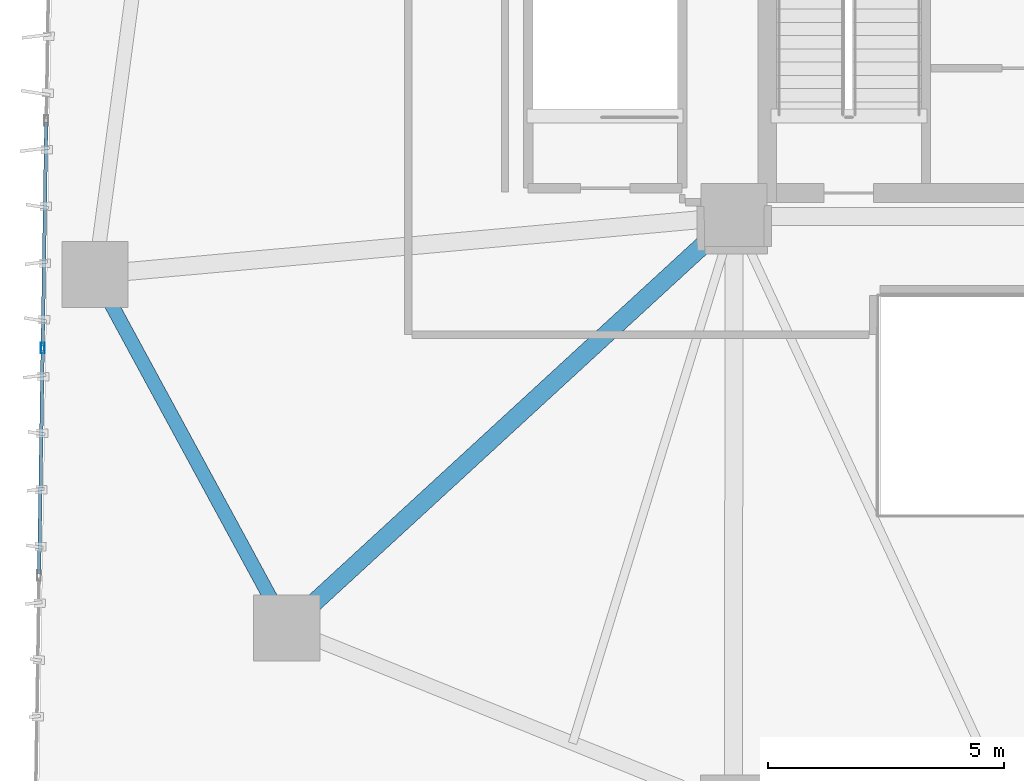
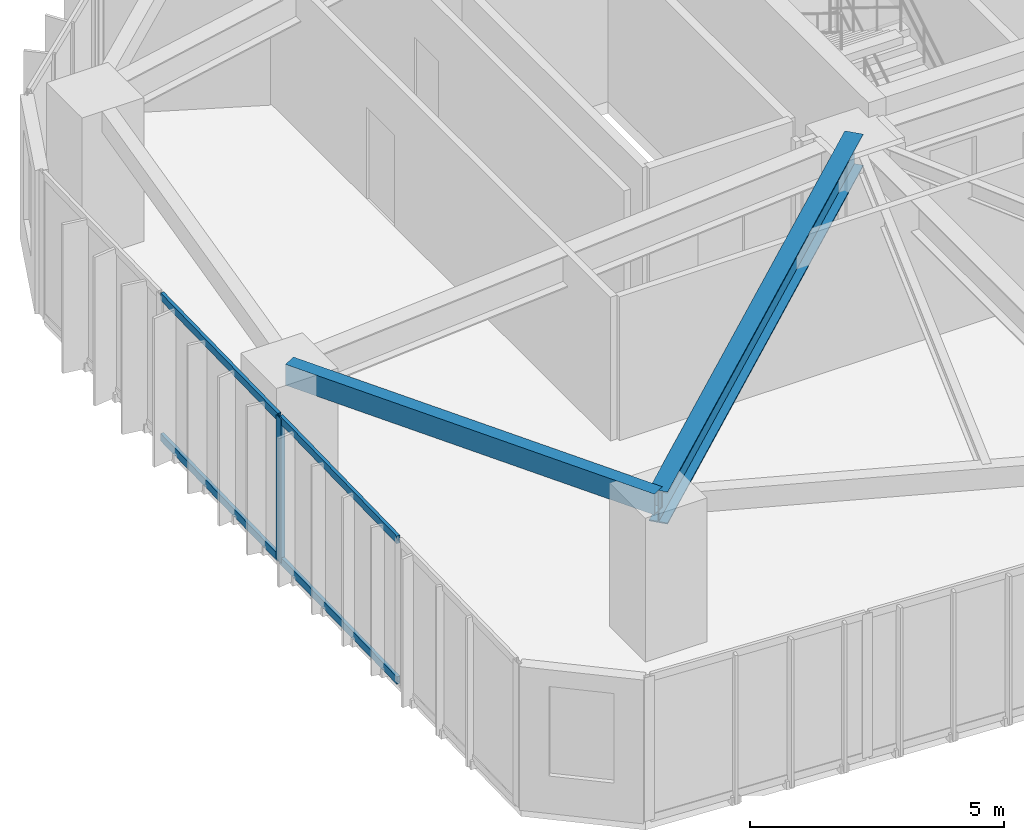
# One storey, part 3 of 24: 5 members, 2 beams, 1 element without a shape of its own.
"""IFC4 building model written with IfcOpenShell, lengths in metres."""

from ifc_helpers import new_model, si_unit, direction, frame, origin, origin_2d, place, context, subcontext, project, spatial, hollow_rectangle, i_section, extrude, source, transform, mapped, material, layer, layer_set, material_profile, profile_set, type_object, type_shapes, element, aggregate, save


model = new_model("IFC4")

# Units and contexts
model_context = context("Model", 3, precision=1e-05, world=origin(), true_north=direction((0.0, 1.0)))
body_context = subcontext(model_context, "Body", "Model", "MODEL_VIEW")
ifc_project = project(units=[si_unit("LENGTHUNIT", "METRE"), si_unit("AREAUNIT", "SQUARE_METRE"), si_unit("VOLUMEUNIT", "CUBIC_METRE"), si_unit("PLANEANGLEUNIT", "RADIAN"), si_unit("MASSUNIT", "GRAM", prefix="KILO")], contexts=[model_context])

# Site, building, storey
site_placement = place(None, origin())
site = spatial("IfcSite", under=ifc_project, at=site_placement, CompositionType="ELEMENT")
building_placement = place(site_placement, origin())
building = spatial("IfcBuilding", under=site, at=building_placement, Name="Talar Marvaseh", CompositionType="ELEMENT")
storey_placement = place(building_placement, frame((0.0, 0.0, 81.0)))
storey = spatial("IfcBuildingStorey", under=building, at=storey_placement, Name="L20", CompositionType="ELEMENT", Elevation=81.0)

# Beams
ifc_material_1 = material(Name="Steel S355", Category="steel")
ifc_material_profile_1 = material_profile(ifc_material_1, hollow_rectangle(XDim=0.300048828125, YDim=0.5, WallThickness=0.02001953125, at=origin_2d()), Name="RHS500x300x20")
ifc_profile_set_1 = profile_set([ifc_material_profile_1], Name="Steel S355")
beam_type_1 = type_object("IfcBeamType", Name="Zone 1 Perimeter Spandrel Beam RHS500x300x20", PredefinedType="SPANDREL", material=ifc_profile_set_1)
beam_1_placement = place(storey_placement, frame((9.23193359375, 16.7958984375, 3.199951171875), z_axis=(-0.476758155578, 0.879034505062, 0.0), x_axis=(-0.879034505062, -0.476758155578, 0.0)))
element("IfcBeam", 1, at=beam_1_placement, inside=storey, type_object=beam_type_1, Name="L20 Zone 1 Perimeter Spandrel Beam RHS500x300x20", PredefinedType="SPANDREL", context=body_context, shape_type="SweptSolid", body=[
    extrude(hollow_rectangle(XDim=0.300048828125, YDim=0.5, WallThickness=0.02001953125, at=origin_2d()), origin(), (0.0, 0.0, 1.0), 8.50927734375),
])
ifc_material_profile_2 = material_profile(ifc_material_1, i_section(OverallWidth=0.381103515625, OverallDepth=0.77294921875, WebThickness=0.0166015625, FlangeThickness=0.027099609375, at=origin_2d()), Name="W760x257")
ifc_profile_set_2 = profile_set([ifc_material_profile_2], Name="Steel S355")
beam_type_2 = type_object("IfcBeamType", Name="Zone 1 Radial Floor Girder W760x257", PredefinedType="BEAM", material=ifc_profile_set_2)
beam_2_placement = place(storey_placement, frame((9.23193359375, 16.7958984375, 3.0634765625), z_axis=(0.736181804049, 0.676783829142, 0.0), x_axis=(-0.676783829142, 0.736181804049, 0.0)))
element("IfcBeam", 2, at=beam_2_placement, inside=storey, type_object=beam_type_2, Name="L20 Zone 1 Radial Floor Girder W760x257", PredefinedType="BEAM", context=body_context, shape_type="SweptSolid", body=[
    extrude(i_section(OverallWidth=0.381103515625, OverallDepth=0.77294921875, WebThickness=0.0166015625, FlangeThickness=0.027099609375, at=origin_2d()), origin(), (0.0, 0.0, 1.0), 12.861083984375),
])

# Curtain wall, members
ifc_material_2 = material(Name="Architectural Aluminium", Category="aluminium")
ifc_layer = layer(ifc_material_2, 0.219970703125)
ifc_layer_set = layer_set([ifc_layer], Name="Architectural Aluminium")
curtain_wall_type = type_object("IfcCurtainWallType", Name="Unitised Low-E Museum Curtain Wall Z1", PredefinedType="NOTDEFINED", material=ifc_layer_set)
curtain_wall_placement = place(storey_placement, origin())
curtain_wall = element("IfcCurtainWall", 3, at=curtain_wall_placement, inside=storey, type_object=curtain_wall_type, Name="L20 Unitised Low-E Museum Curtain Wall Z1", PredefinedType="NOTDEFINED")
ifc_material_profile_3 = material_profile(ifc_material_2, hollow_rectangle(XDim=0.074951171875, YDim=0.179931640625, WallThickness=0.0048828125, at=origin_2d()), Name="RHS180x75x5")
ifc_profile_set_3 = profile_set([ifc_material_profile_3], Name="Architectural Aluminium")
member_type_1 = type_object("IfcMemberType", Name="Unitised Curtain Wall Transom RHS180x75x5", PredefinedType="USERDEFINED", material=ifc_profile_set_3)
shared_shape_1 = source(origin(), body_context, "Body", "SweptSolid", [
    extrude(hollow_rectangle(XDim=0.074951171875, YDim=0.179931640625, WallThickness=0.0048828125, at=origin_2d()), origin(), (0.0, 0.0, 1.0), 4.736572265625),
])
type_shapes(member_type_1, [shared_shape_1])
member_1_placement = place(storey_placement, frame((3.991943359375, 17.940185546875, 0.03759765625), z_axis=(0.015772046896, 0.999875613532, 0.0), x_axis=(-0.999875613532, 0.015772046896, 0.0)))
member_1 = element("IfcMember", 4, at=member_1_placement, type_object=member_type_1, Name="CW-Z1 transom 2.1", ObjectType="TRANSOM", PredefinedType="USERDEFINED", context=body_context, shape_type="MappedRepresentation", body=[
    mapped(shared_shape_1, transform((0.0, 0.0, 0.0), x_axis=(1.0, 0.0, 0.0), y_axis=(0.0, 1.0, 0.0), z_axis=(0.0, 0.0, 1.0), scale=1.0)),
])
member_2_placement = place(storey_placement, frame((3.991943359375, 17.940185546875, 3.41259765625), z_axis=(0.015772046896, 0.999875613532, 0.0), x_axis=(-0.999875613532, 0.015772046896, 0.0)))
member_2 = element("IfcMember", 5, at=member_2_placement, type_object=member_type_1, Name="CW-Z1 transom 2.2", ObjectType="TRANSOM", PredefinedType="USERDEFINED", context=body_context, shape_type="MappedRepresentation", body=[
    mapped(shared_shape_1, transform((0.0, 0.0, 0.0), x_axis=(1.0, 0.0, 0.0), y_axis=(0.0, 1.0, 0.0), z_axis=(0.0, 0.0, 1.0), scale=1.0)),
])
member_3_placement = place(storey_placement, frame((4.06787109375, 22.756103515625, 0.03759765625), z_axis=(0.015772046896, 0.999875613532, 0.0), x_axis=(-0.999875613532, 0.015772046896, 0.0)))
member_3 = element("IfcMember", 6, at=member_3_placement, type_object=member_type_1, Name="CW-Z1 transom 3.1", ObjectType="TRANSOM", PredefinedType="USERDEFINED", context=body_context, shape_type="MappedRepresentation", body=[
    mapped(shared_shape_1, transform((0.0, 0.0, 0.0), x_axis=(1.0, 0.0, 0.0), y_axis=(0.0, 1.0, 0.0), z_axis=(0.0, 0.0, 1.0), scale=1.0)),
])
member_4_placement = place(storey_placement, frame((4.06787109375, 22.756103515625, 3.41259765625), z_axis=(0.015772046896, 0.999875613532, 0.0), x_axis=(-0.999875613532, 0.015772046896, 0.0)))
member_4 = element("IfcMember", 7, at=member_4_placement, type_object=member_type_1, Name="CW-Z1 transom 3.2", ObjectType="TRANSOM", PredefinedType="USERDEFINED", context=body_context, shape_type="MappedRepresentation", body=[
    mapped(shared_shape_1, transform((0.0, 0.0, 0.0), x_axis=(1.0, 0.0, 0.0), y_axis=(0.0, 1.0, 0.0), z_axis=(0.0, 0.0, 1.0), scale=1.0)),
])
ifc_material_profile_4 = material_profile(ifc_material_2, hollow_rectangle(XDim=0.080078125, YDim=0.219970703125, WallThickness=0.0048828125, at=origin_2d()), Name="RHS220x80x5")
ifc_profile_set_4 = profile_set([ifc_material_profile_4], Name="Architectural Aluminium")
member_type_2 = type_object("IfcMemberType", Name="Unitised Curtain Wall Heavy Mullion RHS220x80x5", PredefinedType="MULLION", material=ifc_profile_set_4)
shared_shape_2 = source(origin(), body_context, "Body", "SweptSolid", [
    extrude(hollow_rectangle(XDim=0.080078125, YDim=0.219970703125, WallThickness=0.0048828125, at=origin_2d()), origin(), (0.0, 0.0, 1.0), 3.449951171875),
])
type_shapes(member_type_2, [shared_shape_2])
member_5_placement = place(storey_placement, frame((4.067138671875, 22.71630859375, 0.0), z_axis=(0.0, 0.0, 1.0), x_axis=(-0.999875589392, 0.015773577229, 0.0)))
member_5 = element("IfcMember", 8, at=member_5_placement, type_object=member_type_2, Name="CW-Z1 mullion 3", PredefinedType="MULLION", context=body_context, shape_type="MappedRepresentation", body=[
    mapped(shared_shape_2, transform((0.0, 0.0, 0.0), x_axis=(1.0, 0.0, 0.0), y_axis=(0.0, 1.0, 0.0), z_axis=(0.0, 0.0, 1.0), scale=1.0)),
])
aggregate(curtain_wall, [member_5, member_1, member_2, member_3, member_4])

save(model, "model.ifc")
